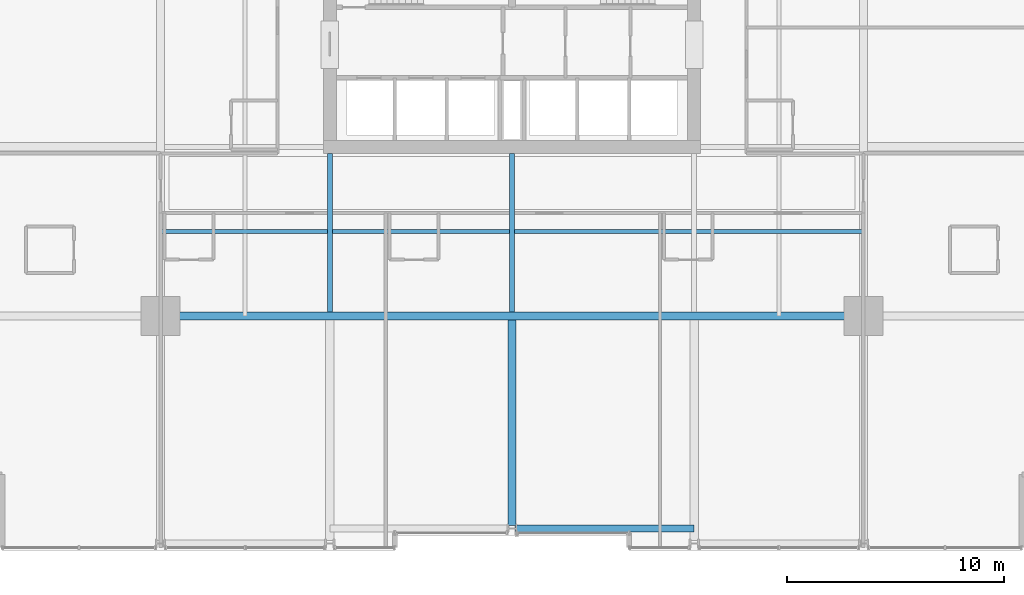
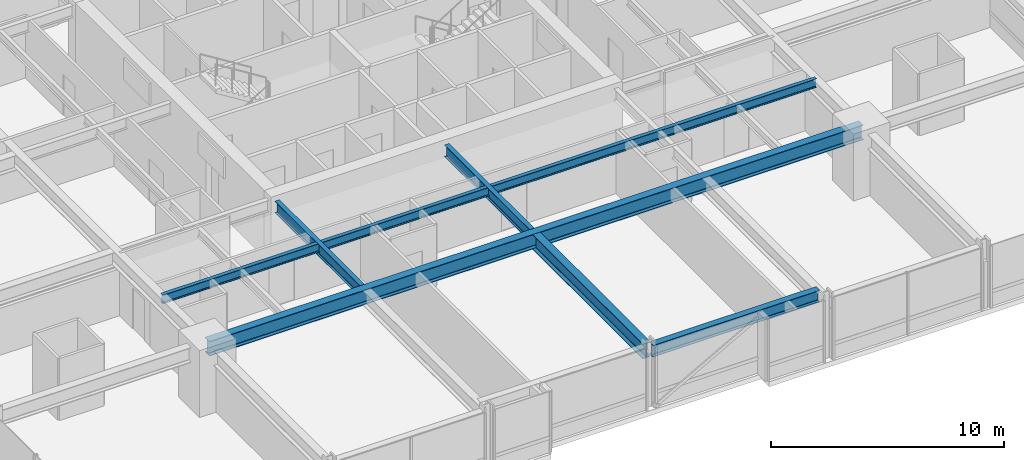
# One storey, part 6 of 38: 6 beams.
"""IFC4 building model written with IfcOpenShell, lengths in metres."""

from ifc_helpers import new_model, si_unit, direction, frame, origin, origin_2d, place, context, subcontext, project, spatial, i_section, extrude, material, material_profile, profile_set, type_object, element, save


model = new_model("IFC4")

# Units and contexts
model_context = context("Model", 3, precision=1e-05, world=origin(), true_north=direction((0.0, 1.0)))
body_context = subcontext(model_context, "Body", "Model", "MODEL_VIEW")
ifc_project = project(units=[si_unit("LENGTHUNIT", "METRE"), si_unit("AREAUNIT", "SQUARE_METRE"), si_unit("VOLUMEUNIT", "CUBIC_METRE"), si_unit("PLANEANGLEUNIT", "RADIAN"), si_unit("MASSUNIT", "GRAM", prefix="KILO")], contexts=[model_context])

# Site, building, storey
site_placement = place(None, origin())
site = spatial("IfcSite", under=ifc_project, at=site_placement, CompositionType="ELEMENT")
building_placement = place(site_placement, origin())
building = spatial("IfcBuilding", under=site, at=building_placement, Name="Drelvath Grand Hotel", CompositionType="ELEMENT")
storey_placement = place(building_placement, frame((0.0, 0.0, 64.699951171875)))
storey = spatial("IfcBuildingStorey", under=building, at=storey_placement, Name="L15", CompositionType="ELEMENT", Elevation=64.699951171875)

# Beams
ifc_material = material(Name="Steel ASTM A992 Gr 50", Category="steel")
ifc_material_profile_1 = material_profile(ifc_material, i_section(OverallWidth=0.19140625, OverallDepth=0.4599609375, WebThickness=0.010009765625, FlangeThickness=0.01611328125, FilletRadius=0.01611328125, at=origin_2d()), Name="W18X55")
ifc_profile_set_1 = profile_set([ifc_material_profile_1], Name="Steel ASTM A992 Gr 50")
beam_type_1 = type_object("IfcBeamType", Name="Composite Floor Joist W18X55", PredefinedType="JOIST", material=ifc_profile_set_1)
beam_1_placement = place(storey_placement, frame((-16.199951171875, 14.699951171875, 3.010009765625), z_axis=(1.0, 0.0, 0.0), x_axis=(0.0, 1.0, 0.0)))
element("IfcBeam", 1, at=beam_1_placement, inside=storey, type_object=beam_type_1, Name="L15 Floor Joist J1", PredefinedType="JOIST", context=body_context, shape_type="SweptSolid", body=[
    extrude(i_section(OverallWidth=0.19140625, OverallDepth=0.4599609375, WebThickness=0.010009765625, FlangeThickness=0.01611328125, FilletRadius=0.01611328125, at=origin_2d()), origin(), (0.0, 0.0, 1.0), 32.39990234375),
])
ifc_material_profile_2 = material_profile(ifc_material, i_section(OverallWidth=0.323974609375, OverallDepth=0.611083984375, WebThickness=0.0126953125, FlangeThickness=0.01904296875, FilletRadius=0.02197265625, at=origin_2d()), Name="W24X104")
ifc_profile_set_2 = profile_set([ifc_material_profile_2], Name="Steel ASTM A992 Gr 50")
beam_type_2 = type_object("IfcBeamType", Name="Perimeter Spandrel Beam W24X104", PredefinedType="SPANDREL", material=ifc_profile_set_2)
beam_2_placement = place(storey_placement, frame((0.139892578125, 1.0, 2.9345703125), z_axis=(1.0, 0.0, 0.0), x_axis=(0.0, 1.0, 0.0)))
element("IfcBeam", 2, at=beam_2_placement, inside=storey, type_object=beam_type_2, Name="L15 Spandrel South Mid E", PredefinedType="SPANDREL", context=body_context, shape_type="SweptSolid", body=[
    extrude(i_section(OverallWidth=0.323974609375, OverallDepth=0.611083984375, WebThickness=0.0126953125, FlangeThickness=0.01904296875, FilletRadius=0.02197265625, at=origin_2d()), origin(), (0.0, 0.0, 1.0), 8.260009765625),
])
ifc_material_profile_3 = material_profile(ifc_material, i_section(OverallWidth=0.228271484375, OverallDepth=0.607666015625, WebThickness=0.01123046875, FlangeThickness=0.017333984375, FilletRadius=0.02001953125, at=origin_2d()), Name="W24X76")
ifc_profile_set_3 = profile_set([ifc_material_profile_3], Name="Steel ASTM A992 Gr 50")
beam_type_3 = type_object("IfcBeamType", Name="Primary Floor Girder W24X76", PredefinedType="BEAM", material=ifc_profile_set_3)
for number, where, z_axis, x_axis, name in (
    (3, (-8.39990234375, 10.990234375, 2.936279296875), (0.0, 1.0, 0.0), (-1.0, 0.0, 0.0), "L15 South Core Tie 4"),
    (4, (0.0, 10.990234375, 2.936279296875), (0.0, 1.0, 0.0), (-1.0, 0.0, 0.0), "L15 South Core Tie 5"),
):
    element("IfcBeam", number, at=place(storey_placement, frame(where, z_axis=z_axis, x_axis=x_axis)), inside=storey, type_object=beam_type_3, Name=name, PredefinedType="BEAM", context=body_context, shape_type="SweptSolid", body=[
        extrude(i_section(OverallWidth=0.228271484375, OverallDepth=0.607666015625, WebThickness=0.01123046875, FlangeThickness=0.017333984375, FilletRadius=0.02001953125, at=origin_2d()), origin(), (0.0, 0.0, 1.0), 7.309814453125),
    ])
ifc_material_profile_4 = material_profile(ifc_material, i_section(OverallWidth=0.380615234375, OverallDepth=0.773193359375, WebThickness=0.0166015625, FlangeThickness=0.027099609375, FilletRadius=0.02490234375, at=origin_2d()), Name="W30X173")
ifc_profile_set_4 = profile_set([ifc_material_profile_4], Name="Steel ASTM A992 Gr 50")
beam_type_4 = type_object("IfcBeamType", Name="Primary Floor Girder W30X173", PredefinedType="BEAM", material=ifc_profile_set_4)
beam_3_placement = place(storey_placement, frame((-16.199951171875, 10.800048828125, 2.853515625), z_axis=(1.0, 0.0, 0.0), x_axis=(0.0, 1.0, 0.0)))
element("IfcBeam", 5, at=beam_3_placement, inside=storey, type_object=beam_type_4, Name="L15 Mega Ring Girder South", PredefinedType="BEAM", context=body_context, shape_type="SweptSolid", body=[
    extrude(i_section(OverallWidth=0.380615234375, OverallDepth=0.773193359375, WebThickness=0.0166015625, FlangeThickness=0.027099609375, FilletRadius=0.02490234375, at=origin_2d()), origin(), (0.0, 0.0, 1.0), 32.39990234375),
])
beam_4_placement = place(storey_placement, frame((0.0, 1.139892578125, 2.853515625), z_axis=(0.0, 1.0, 0.0), x_axis=(-1.0, 0.0, 0.0)))
element("IfcBeam", 6, at=beam_4_placement, inside=storey, type_object=beam_type_4, Name="L15 South Wing Girder 5", PredefinedType="BEAM", context=body_context, shape_type="SweptSolid", body=[
    extrude(i_section(OverallWidth=0.380615234375, OverallDepth=0.773193359375, WebThickness=0.0166015625, FlangeThickness=0.027099609375, FilletRadius=0.02490234375, at=origin_2d()), origin(), (0.0, 0.0, 1.0), 9.4697265625),
])

save(model, "model.ifc")
